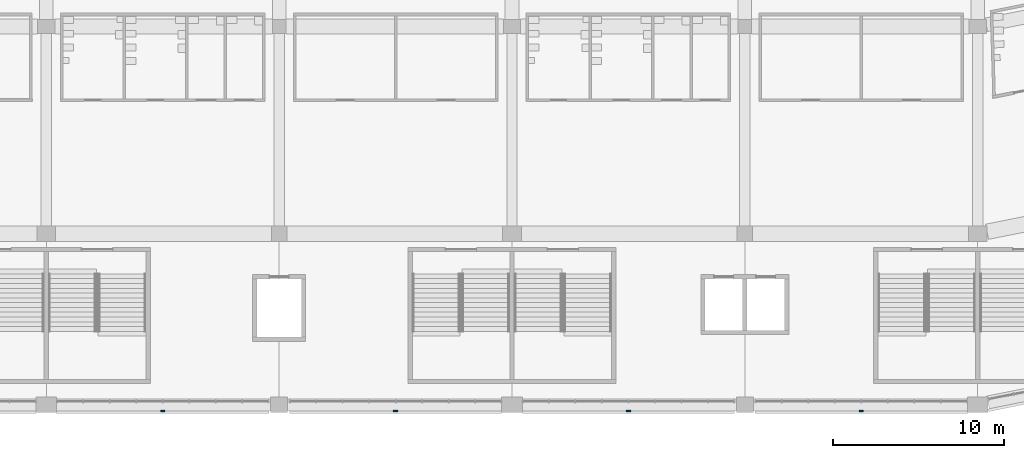
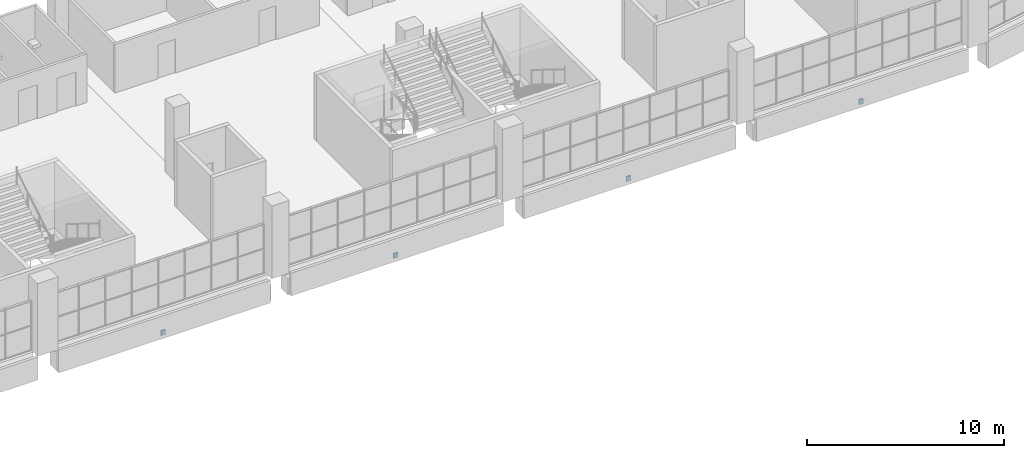
# One storey, part 94 of 199: 4 discrete accessories.
"""IFC4 building model written with IfcOpenShell, lengths in metres."""

from ifc_helpers import new_model, si_unit, direction, frame, origin, origin_2d, place, context, subcontext, project, spatial, rectangle, extrude, material, layer, layer_set, type_object, element, save


model = new_model("IFC4")

# Units and contexts
model_context = context("Model", 3, precision=1e-05, world=origin(), true_north=direction((0.0, 1.0)))
body_context = subcontext(model_context, "Body", "Model", "MODEL_VIEW")
ifc_project = project(units=[si_unit("LENGTHUNIT", "METRE"), si_unit("AREAUNIT", "SQUARE_METRE"), si_unit("VOLUMEUNIT", "CUBIC_METRE"), si_unit("PLANEANGLEUNIT", "RADIAN"), si_unit("MASSUNIT", "GRAM", prefix="KILO")], contexts=[model_context])

# Site, building, storey
site_placement = place(None, origin())
site = spatial("IfcSite", under=ifc_project, at=site_placement, CompositionType="ELEMENT")
building_placement = place(site_placement, origin())
building = spatial("IfcBuilding", under=site, at=building_placement, Name="Ogive Plaza Stadium", CompositionType="ELEMENT")
storey_placement = place(building_placement, frame((0.0, 0.0, 4.5)))
storey = spatial("IfcBuildingStorey", under=building, at=storey_placement, Name="L01", CompositionType="ELEMENT", Elevation=4.5)

# Discrete accessories
ifc_material = material(Name="Steel ASTM A572 Grade 50", Category="steel")
ifc_layer = layer(ifc_material, 0.080078125)
ifc_layer_set = layer_set([ifc_layer], Name="Steel ASTM A572 Grade 50")
discrete_accessory_type = type_object("IfcDiscreteAccessoryType", Name="Spandrel cladding bracket 250x300", PredefinedType="BRACKET", material=ifc_layer_set)
for number, where, z_axis, x_axis, name in (
    (1, (27.199951171875, -102.85009765625, -1.31005859375), (0.0, 0.0, 1.0), (-1.0, 0.0, 0.0), "SPANDREL BRACKET B12 L01"),
    (2, (13.60009765625, -102.85009765625, -1.31005859375), (0.0, 0.0, 1.0), (-1.0, 0.0, 0.0), "SPANDREL BRACKET B13 L01"),
    (3, (0.0, -102.85009765625, -1.31005859375), (0.0, 0.0, 1.0), (-1.0, 0.0, 0.0), "SPANDREL BRACKET B14 L01"),
    (4, (-13.60009765625, -102.85009765625, -1.31005859375), (0.0, 0.0, 1.0), (-1.0, 0.0, 0.0), "SPANDREL BRACKET B15 L01"),
):
    element("IfcDiscreteAccessory", number, at=place(storey_placement, frame(where, z_axis=z_axis, x_axis=x_axis)), inside=storey, type_object=discrete_accessory_type, Name=name, PredefinedType="BRACKET", context=body_context, shape_type="SweptSolid", body=[
        extrude(rectangle(XDim=0.25, YDim=0.080078125, at=origin_2d()), origin(), (0.0, 0.0, 1.0), 0.300048828125),
    ])

save(model, "model.ifc")
